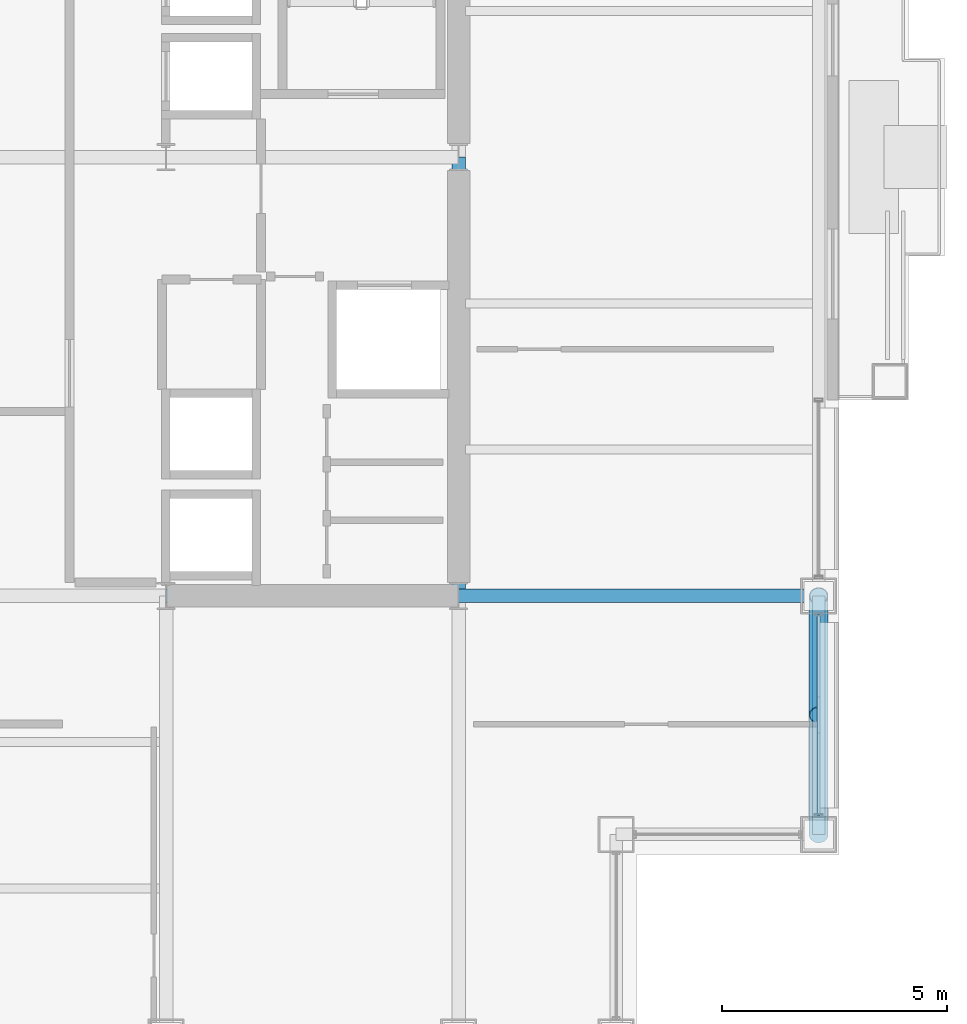
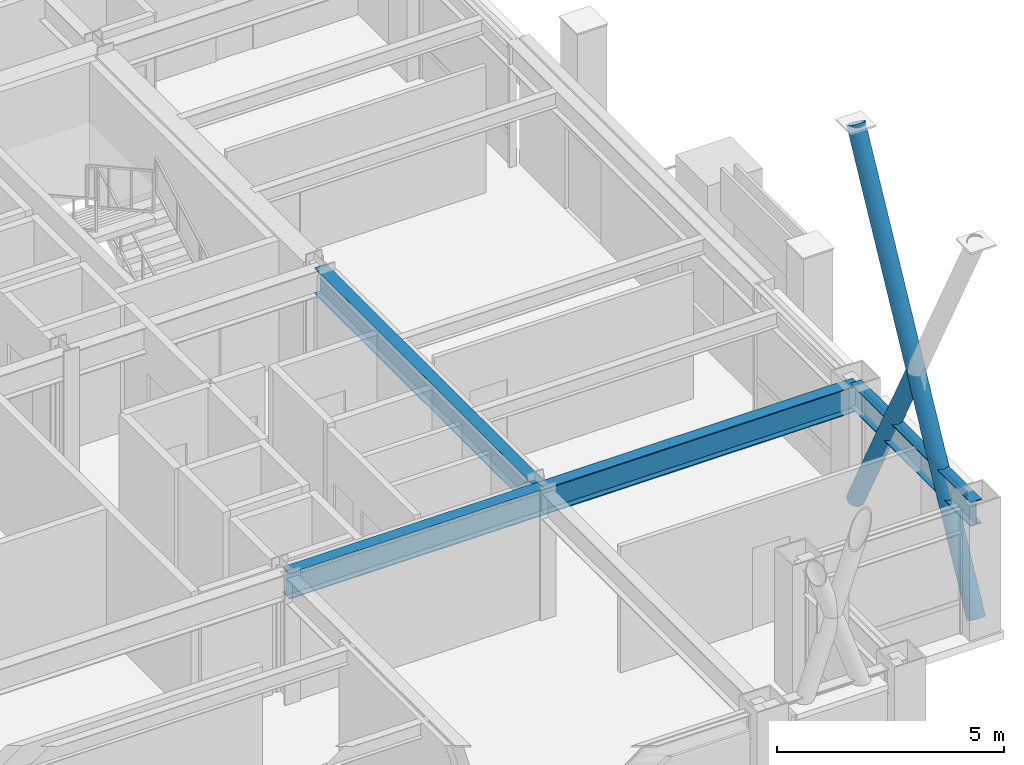
# One storey, part 14 of 35: 4 beams, 3 members, 1 element without a shape of its own.
"""IFC4 building model written with IfcOpenShell, lengths in metres."""

from ifc_helpers import new_model, si_unit, direction, frame, origin, origin_2d, place, context, subcontext, project, spatial, hollow_rectangle, hollow_circle, i_section, extrude, material, layer, layer_set, material_profile, profile_set, type_object, element, aggregate, save


model = new_model("IFC4")

# Units and contexts
model_context = context("Model", 3, precision=1e-05, world=origin(), true_north=direction((0.0, 1.0)))
body_context = subcontext(model_context, "Body", "Model", "MODEL_VIEW")
ifc_project = project(units=[si_unit("LENGTHUNIT", "METRE"), si_unit("AREAUNIT", "SQUARE_METRE"), si_unit("VOLUMEUNIT", "CUBIC_METRE"), si_unit("PLANEANGLEUNIT", "RADIAN"), si_unit("MASSUNIT", "GRAM", prefix="KILO")], contexts=[model_context])

# Site, building, storey
site_placement = place(None, origin())
site = spatial("IfcSite", under=ifc_project, at=site_placement, CompositionType="ELEMENT")
building_placement = place(site_placement, origin())
building = spatial("IfcBuilding", under=site, at=building_placement, Name="Brelmoor Portico Tower", CompositionType="ELEMENT")
storey_placement = place(building_placement, frame((0.0, 0.0, 131.39990234375)))
storey = spatial("IfcBuildingStorey", under=building, at=storey_placement, Name="L34", CompositionType="ELEMENT", Elevation=131.39990234375)

# Beams
ifc_material_1 = material(Name="Steel Q355B", Category="steel")
ifc_material_profile_1 = material_profile(ifc_material_1, i_section(OverallWidth=0.300048828125, OverallDepth=0.699951171875, WebThickness=0.012939453125, FlangeThickness=0.02392578125, at=origin_2d()), Name="HN 700x300x13x24")
ifc_profile_set_1 = profile_set([ifc_material_profile_1], Name="Steel Q355B")
beam_type_1 = type_object("IfcBeamType", Name="BM-PG-700", PredefinedType="BEAM", material=ifc_profile_set_1)
beam_1_placement = place(storey_placement, frame((14.550048828125, -9.75, 3.050048828125), z_axis=(0.0, 1.0, 0.0), x_axis=(-1.0, 0.0, 0.0)))
element("IfcBeam", 1, at=beam_1_placement, inside=storey, type_object=beam_type_1, Name="L34 Primary Floor Girder PG-11", PredefinedType="BEAM", context=body_context, shape_type="SweptSolid", body=[
    extrude(i_section(OverallWidth=0.300048828125, OverallDepth=0.699951171875, WebThickness=0.012939453125, FlangeThickness=0.02392578125, at=origin_2d()), origin(), (0.0, 0.0, 1.0), 9.75),
])
beam_2_placement = place(storey_placement, frame((8.050048828125, -9.75, 3.050048828125), z_axis=(1.0, 0.0, 0.0), x_axis=(0.0, 1.0, 0.0)))
element("IfcBeam", 2, at=beam_2_placement, inside=storey, type_object=beam_type_1, Name="L34 Primary Floor Girder PG-17", PredefinedType="BEAM", context=body_context, shape_type="SweptSolid", body=[
    extrude(i_section(OverallWidth=0.300048828125, OverallDepth=0.699951171875, WebThickness=0.012939453125, FlangeThickness=0.02392578125, at=origin_2d()), origin(), (0.0, 0.0, 1.0), 6.5),
])
beam_3_placement = place(storey_placement, frame((14.550048828125, -9.75, 3.050048828125), z_axis=(1.0, 0.0, 0.0), x_axis=(0.0, 1.0, 0.0)))
element("IfcBeam", 3, at=beam_3_placement, inside=storey, type_object=beam_type_1, Name="L34 Primary Floor Girder PG-18", PredefinedType="BEAM", context=body_context, shape_type="SweptSolid", body=[
    extrude(i_section(OverallWidth=0.300048828125, OverallDepth=0.699951171875, WebThickness=0.012939453125, FlangeThickness=0.02392578125, at=origin_2d()), origin(), (0.0, 0.0, 1.0), 8.0),
])
ifc_material_profile_2 = material_profile(ifc_material_1, i_section(OverallWidth=0.280029296875, OverallDepth=0.64990234375, WebThickness=0.012939453125, FlangeThickness=0.02197265625, at=origin_2d()), Name="HN 650x280x13x22")
ifc_profile_set_2 = profile_set([ifc_material_profile_2], Name="Steel Q355B")
beam_type_2 = type_object("IfcBeamType", Name="BM-SP-650", PredefinedType="SPANDREL", material=ifc_profile_set_2)
beam_4_placement = place(storey_placement, frame((22.550048828125, -15.050048828125, 3.0751953125), z_axis=(0.0, 1.0, 0.0), x_axis=(-1.0, 0.0, 0.0)))
element("IfcBeam", 4, at=beam_4_placement, inside=storey, type_object=beam_type_2, Name="L34 Perimeter Spandrel Beam SP-22", PredefinedType="SPANDREL", context=body_context, shape_type="SweptSolid", body=[
    extrude(i_section(OverallWidth=0.280029296875, OverallDepth=0.64990234375, WebThickness=0.012939453125, FlangeThickness=0.02197265625, at=origin_2d()), origin(), (0.0, 0.0, 1.0), 5.300048828125),
])

# Members
ifc_material_profile_3 = material_profile(ifc_material_1, hollow_circle(Radius=0.212890625, WallThickness=0.02001953125, at=origin_2d()), Name="CHS 426x20")
ifc_profile_set_3 = profile_set([ifc_material_profile_3], Name="Steel Q355B")
member_type_1 = type_object("IfcMemberType", Name="MB-BELT-DIAG1", PredefinedType="BRACE", material=ifc_profile_set_3)
member_1_placement = place(storey_placement, frame((22.550048828125, -15.050048828125, 0.25), z_axis=(0.0, 0.464661902242, 0.885488179822), x_axis=(-1.0, 0.0, 0.0)))
element("IfcMember", 5, at=member_1_placement, inside=storey, type_object=member_type_1, Name="L34 Continuous Mega-X Brace 082A", PredefinedType="BRACE", context=body_context, shape_type="SweptSolid", body=[
    extrude(hollow_circle(Radius=0.212890625, WallThickness=0.02001953125, at=origin_2d()), origin(), (0.0, 0.0, 1.0), 11.40625),
])
member_2_placement = place(storey_placement, frame((22.550048828125, -9.75, 0.25), z_axis=(0.0, -0.464645119255, 0.885496986529), x_axis=(1.0, 0.0, 0.0)))
element("IfcMember", 6, at=member_2_placement, inside=storey, type_object=member_type_1, Name="L34 Split Mega-X Brace 082B1", PredefinedType="BRACE", context=body_context, shape_type="SweptSolid", body=[
    extrude(hollow_circle(Radius=0.212890625, WallThickness=0.02001953125, at=origin_2d()), origin(), (0.0, 0.0, 1.0), 5.703125),
])

# Curtain wall, member
ifc_material_2 = material(Name="Anodised Aluminium Alloy 6063-T6", Category="aluminium")
ifc_layer = layer(ifc_material_2, 0.179931640625)
ifc_layer_set = layer_set([ifc_layer], Name="Anodised Aluminium Alloy 6063-T6")
curtain_wall_type = type_object("IfcCurtainWallType", Name="CW-TOWER-Z2-XB", PredefinedType="NOTDEFINED", material=ifc_layer_set)
curtain_wall_placement = place(storey_placement, origin())
curtain_wall = element("IfcCurtainWall", 7, at=curtain_wall_placement, inside=storey, type_object=curtain_wall_type, Name="L34 Curtain Wall CW-L34-4L-1", PredefinedType="NOTDEFINED")
ifc_material_profile_4 = material_profile(ifc_material_2, hollow_rectangle(XDim=0.06494140625, YDim=0.139892578125, WallThickness=0.00390625, at=origin_2d()), Name="ALU TRANSOM 65x140")
ifc_profile_set_4 = profile_set([ifc_material_profile_4], Name="Anodised Aluminium Alloy 6063-T6")
member_type_2 = type_object("IfcMemberType", Name="MB-CW-TRAN-140", PredefinedType="USERDEFINED", material=ifc_profile_set_4)
member_3_placement = place(storey_placement, frame((22.550048828125, -14.639892578125, 3.330078125), z_axis=(0.0, 1.0, 0.0), x_axis=(-1.0, 0.0, 0.0)))
member_3 = element("IfcMember", 8, at=member_3_placement, type_object=member_type_2, Name="CW-L34-4L-1 Transom 1-00", ObjectType="TRANSOM", PredefinedType="USERDEFINED", context=body_context, shape_type="SweptSolid", body=[
    extrude(hollow_rectangle(XDim=0.06494140625, YDim=0.139892578125, WallThickness=0.00390625, at=origin_2d()), origin(), (0.0, 0.0, 1.0), 4.47998046875),
])
aggregate(curtain_wall, [member_3])

save(model, "model.ifc")
